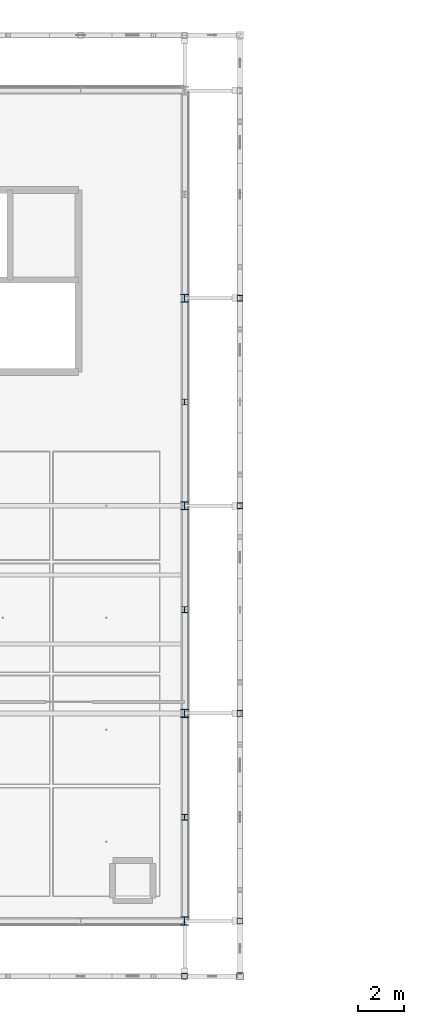
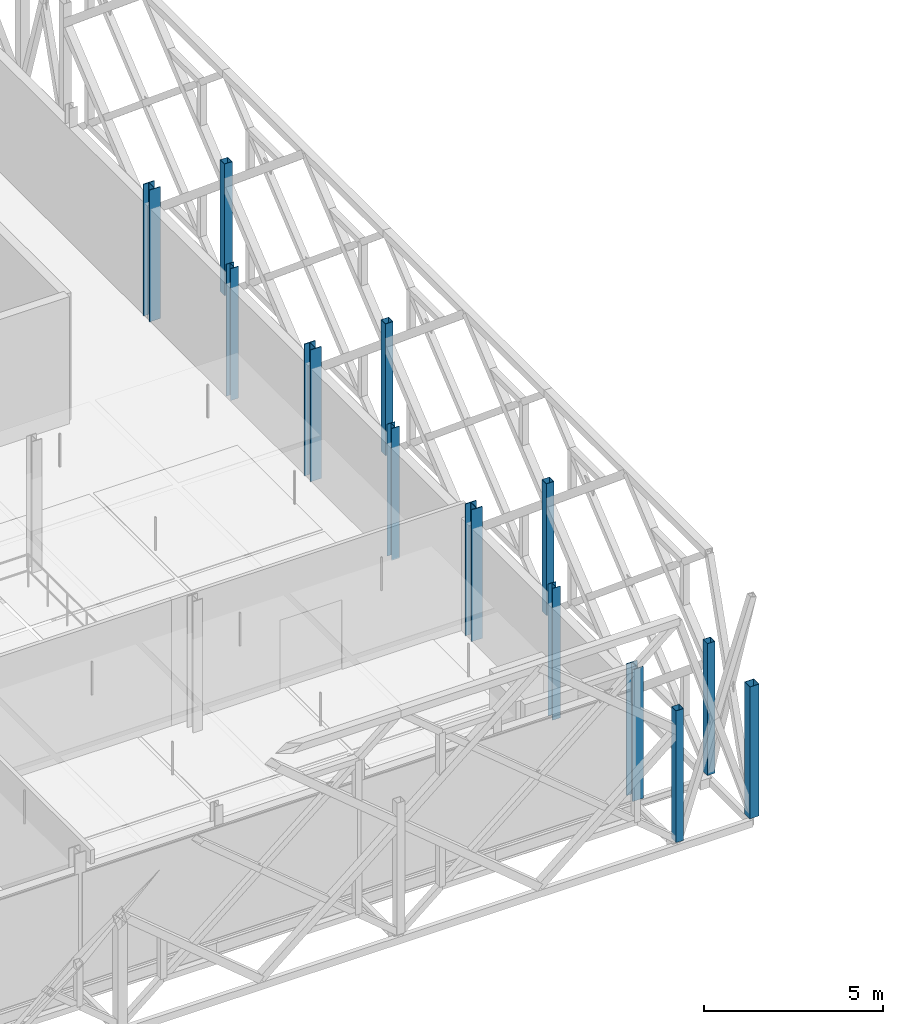
# One storey, part 7 of 66: 13 columns.
"""IFC4 building model written with IfcOpenShell, lengths in metres."""

from ifc_helpers import new_model, si_unit, direction, frame, origin, origin_2d, place, context, subcontext, project, spatial, hollow_rectangle, i_section, extrude, material, material_profile, profile_set, type_object, element, save


model = new_model("IFC4")

# Units and contexts
model_context = context("Model", 3, precision=1e-05, world=origin(), true_north=direction((0.0, 1.0)))
body_context = subcontext(model_context, "Body", "Model", "MODEL_VIEW")
ifc_project = project(units=[si_unit("LENGTHUNIT", "METRE"), si_unit("AREAUNIT", "SQUARE_METRE"), si_unit("VOLUMEUNIT", "CUBIC_METRE"), si_unit("PLANEANGLEUNIT", "RADIAN"), si_unit("MASSUNIT", "GRAM", prefix="KILO"), si_unit("THERMODYNAMICTEMPERATUREUNIT", "KELVIN"), si_unit("POWERUNIT", "WATT")], contexts=[model_context])

# Site, building, storey
site_placement = place(None, origin())
site = spatial("IfcSite", under=ifc_project, at=site_placement, CompositionType="ELEMENT")
building_placement = place(site_placement, origin())
building = spatial("IfcBuilding", under=site, at=building_placement, Name="Tallowbark Science Centre", CompositionType="ELEMENT")
storey_placement = place(building_placement, frame((0.0, 0.0, 18.89990234375)))
storey = spatial("IfcBuildingStorey", under=building, at=storey_placement, Name="L04", CompositionType="ELEMENT", Elevation=18.89990234375)

# Columns
ifc_material_1 = material(Name="White Architectural Painted Steel Grade C350L0 (350 MPa)", Category="steel")
ifc_material_profile_1 = material_profile(ifc_material_1, hollow_rectangle(XDim=0.25, YDim=0.25, WallThickness=0.009033203125, at=origin_2d()), Name="250x250x9.0SHS")
ifc_profile_set_1 = profile_set([ifc_material_profile_1], Name="White Architectural Painted Steel Grade C350L0 (350 MPa)")
column_type_1 = type_object("IfcColumnType", Name="COL-SCR200", PredefinedType="COLUMN", material=ifc_profile_set_1)
for number, where, z_axis, x_axis, name in (
    (1, (103.5, 2.10009765625, 0.0), (0.0, 0.0, 1.0), (1.0, 0.0, 0.0), "Column SCR-S06 L04"),
    (2, (105.89990234375, 4.5, 0.0), (0.0, 0.0, 1.0), (1.0, 0.0, 0.0), "Column SCR-E01 L04"),
    (3, (105.89990234375, 13.5, 0.0), (0.0, 0.0, 1.0), (1.0, 0.0, 0.0), "Column SCR-E02 L04"),
    (4, (105.89990234375, 22.5, 0.0), (0.0, 0.0, 1.0), (1.0, 0.0, 0.0), "Column SCR-E03 L04"),
    (5, (105.89990234375, 31.5, 0.0), (0.0, 0.0, 1.0), (1.0, 0.0, 0.0), "Column SCR-E04 L04"),
):
    element("IfcColumn", number, at=place(storey_placement, frame(where, z_axis=z_axis, x_axis=x_axis)), inside=storey, type_object=column_type_1, Name=name, PredefinedType="COLUMN", context=body_context, shape_type="SweptSolid", body=[
        extrude(hollow_rectangle(XDim=0.25, YDim=0.25, WallThickness=0.009033203125, at=origin_2d()), origin(), (0.0, 0.0, 1.0), 4.5),
    ])
ifc_material_profile_2 = material_profile(ifc_material_1, hollow_rectangle(XDim=0.300048828125, YDim=0.300048828125, WallThickness=0.010009765625, at=origin_2d()), Name="300x300x10.0SHS")
ifc_profile_set_2 = profile_set([ifc_material_profile_2], Name="White Architectural Painted Steel Grade C350L0 (350 MPa)")
column_type_2 = type_object("IfcColumnType", Name="COL-SCR300", PredefinedType="COLUMN", material=ifc_profile_set_2)
column_placement = place(storey_placement, frame((105.89990234375, 2.10009765625, 0.0), z_axis=(0.0, 0.0, 1.0), x_axis=(1.0, 0.0, 0.0)))
element("IfcColumn", 6, at=column_placement, inside=storey, type_object=column_type_2, Name="Column SCR-S07 L04", PredefinedType="COLUMN", context=body_context, shape_type="SweptSolid", body=[
    extrude(hollow_rectangle(XDim=0.300048828125, YDim=0.300048828125, WallThickness=0.010009765625, at=origin_2d()), origin(), (0.0, 0.0, 1.0), 4.5),
])
ifc_material_2 = material(Name="Structural Steel Grade 300PLUS (300 MPa)", Category="steel")
ifc_material_profile_3 = material_profile(ifc_material_2, i_section(OverallWidth=0.35009765625, OverallDepth=0.35888671875, WebThickness=0.01611328125, FlangeThickness=0.02392578125, FilletRadius=0.013916015625, at=origin_2d()), Name="350WC197")
ifc_profile_set_3 = profile_set([ifc_material_profile_3], Name="Structural Steel Grade 300PLUS (300 MPa)")
column_type_3 = type_object("IfcColumnType", Name="COL-WC350", PredefinedType="COLUMN", material=ifc_profile_set_3)
for number, where, z_axis, x_axis, name in (
    (7, (103.5, 4.5, 0.0), (0.0, 0.0, 1.0), (1.0, 0.0, 0.0), "Column CUB-M5_0 L04"),
    (8, (103.5, 13.5, 0.0), (0.0, 0.0, 1.0), (1.0, 0.0, 0.0), "Column CUB-M5_1 L04"),
    (9, (103.5, 22.5, 0.0), (0.0, 0.0, 1.0), (1.0, 0.0, 0.0), "Column CUB-M5_2 L04"),
    (10, (103.5, 31.5, 0.0), (0.0, 0.0, 1.0), (1.0, 0.0, 0.0), "Column CUB-M5_3 L04"),
):
    element("IfcColumn", number, at=place(storey_placement, frame(where, z_axis=z_axis, x_axis=x_axis)), inside=storey, type_object=column_type_3, Name=name, PredefinedType="COLUMN", context=body_context, shape_type="SweptSolid", body=[
        extrude(i_section(OverallWidth=0.35009765625, OverallDepth=0.35888671875, WebThickness=0.01611328125, FlangeThickness=0.02392578125, FilletRadius=0.013916015625, at=origin_2d()), origin(), (0.0, 0.0, 1.0), 4.5),
    ])
ifc_material_profile_4 = material_profile(ifc_material_2, i_section(OverallWidth=0.256103515625, OverallDepth=0.260009765625, WebThickness=0.010498046875, FlangeThickness=0.017333984375, FilletRadius=0.013916015625, at=origin_2d()), Name="250UC89.5")
ifc_profile_set_4 = profile_set([ifc_material_profile_4], Name="Structural Steel Grade 300PLUS (300 MPa)")
column_type_4 = type_object("IfcColumnType", Name="PIL-UC250", PredefinedType="PILASTER", material=ifc_profile_set_4)
for number, where, z_axis, x_axis, name in (
    (11, (103.5, 9.0, 0.0), (0.0, 0.0, 1.0), (1.0, 0.0, 0.0), "Column CUB-PE-0 L04"),
    (12, (103.5, 18.0, 0.0), (0.0, 0.0, 1.0), (1.0, 0.0, 0.0), "Column CUB-PE-1 L04"),
    (13, (103.5, 27.0, 0.0), (0.0, 0.0, 1.0), (1.0, 0.0, 0.0), "Column CUB-PE-2 L04"),
):
    element("IfcColumn", number, at=place(storey_placement, frame(where, z_axis=z_axis, x_axis=x_axis)), inside=storey, type_object=column_type_4, Name=name, PredefinedType="PILASTER", context=body_context, shape_type="SweptSolid", body=[
        extrude(i_section(OverallWidth=0.256103515625, OverallDepth=0.260009765625, WebThickness=0.010498046875, FlangeThickness=0.017333984375, FilletRadius=0.013916015625, at=origin_2d()), origin(), (0.0, 0.0, 1.0), 4.5),
    ])

save(model, "model.ifc")
